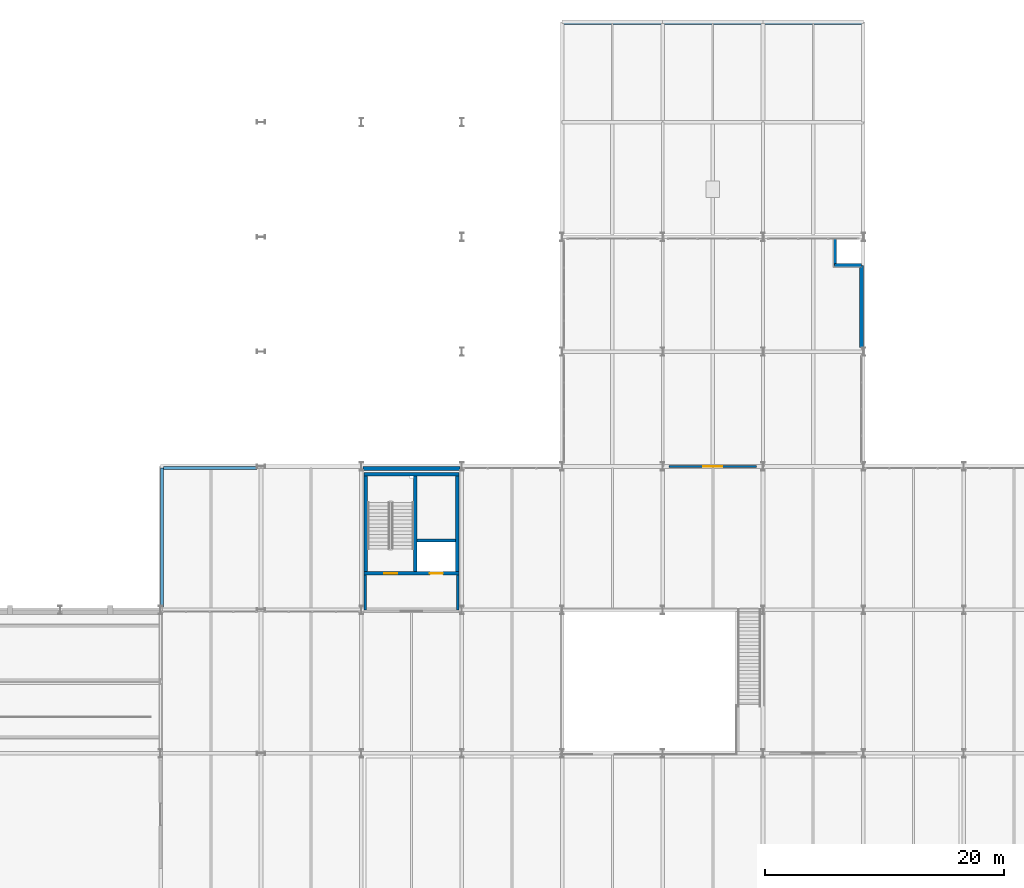
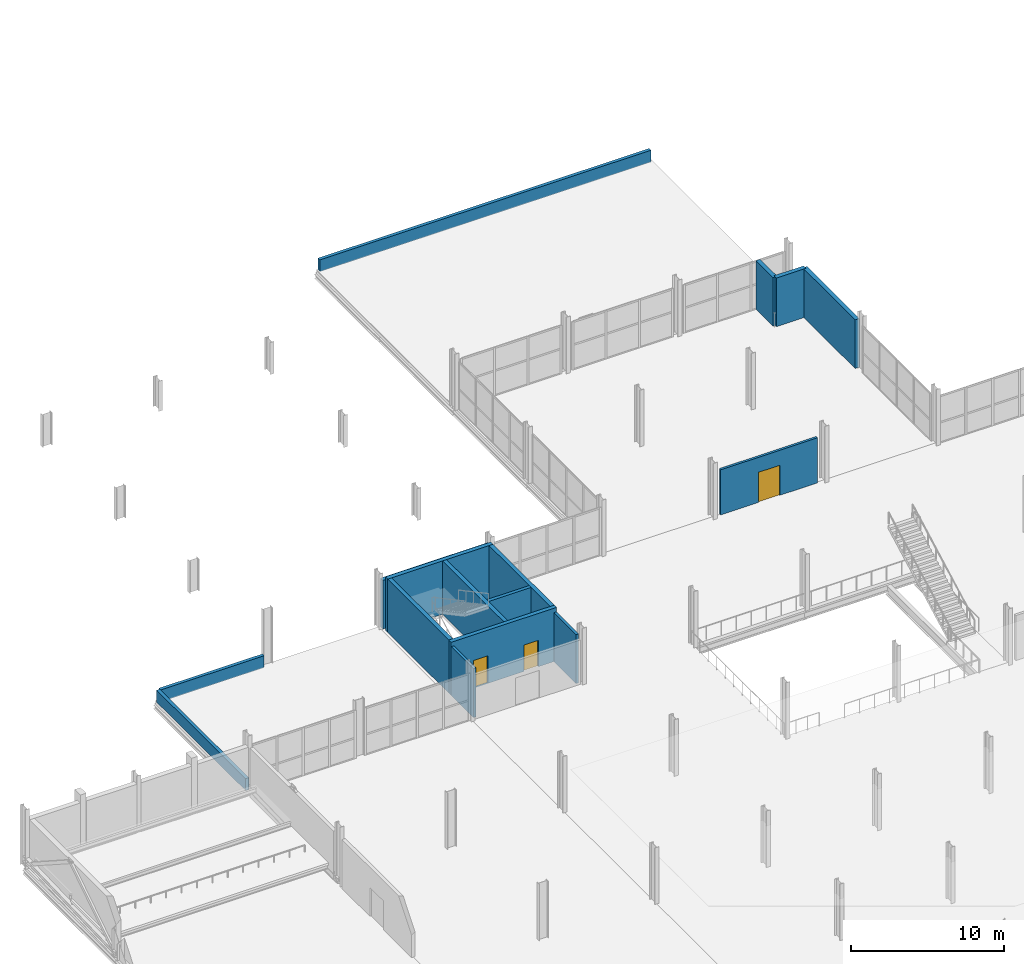
# One storey, part 102 of 113: 16 walls, 3 doors, 3 openings.
"""IFC4 building model written with IfcOpenShell, lengths in metres."""

from ifc_helpers import new_model, si_unit, direction, frame, frame_2d, origin, place, context, subcontext, project, spatial, rectangle, extrude, material, layer, layer_set, type_object, element, fill, save


model = new_model("IFC4")

# Units and contexts
model_context = context("Model", 3, precision=1e-05, world=origin(), true_north=direction((0.0, 1.0)))
body_context = subcontext(model_context, "Body", "Model", "MODEL_VIEW")
ifc_project = project(units=[si_unit("LENGTHUNIT", "METRE"), si_unit("AREAUNIT", "SQUARE_METRE"), si_unit("VOLUMEUNIT", "CUBIC_METRE"), si_unit("PLANEANGLEUNIT", "RADIAN"), si_unit("MASSUNIT", "GRAM", prefix="KILO")], contexts=[model_context])

# Site, building, storey
site_placement = place(None, origin())
site = spatial("IfcSite", under=ifc_project, at=site_placement, CompositionType="ELEMENT")
building_placement = place(site_placement, origin())
building = spatial("IfcBuilding", under=site, at=building_placement, Name="Veltarok Museum of Natural Sciences", CompositionType="ELEMENT")
storey_placement = place(building_placement, frame((0.0, 0.0, 8.39990234375)))
storey = spatial("IfcBuildingStorey", under=building, at=storey_placement, Name="L01", CompositionType="ELEMENT", Elevation=8.39990234375)

# Wall, opening, door
ifc_material_1 = material(Name="Acoustic gypsum and mineral wool")
ifc_layer_1 = layer(ifc_material_1, 0.179931640625)
ifc_layer_set_1 = layer_set([ifc_layer_1], Name="Acoustic gypsum and mineral wool")
wall_type_1 = type_object("IfcWallType", Name="Exhibition Gallery Partition 180", PredefinedType="PARTITIONING", material=ifc_layer_set_1)
wall_1_placement = place(storey_placement, frame((65.75, 72.0, 0.0), z_axis=(0.0, 0.0, 1.0), x_axis=(1.0, 0.0, 0.0)))
wall_1 = element("IfcWall", 1, at=wall_1_placement, inside=storey, type_object=wall_type_1, Name="Interior Partition L01-032", PredefinedType="PARTITIONING", context=body_context, shape_type="SweptSolid", body=[
    extrude(rectangle(XDim=7.300048828125, YDim=0.179931640625, at=frame_2d((3.64990234375, 0.0))), origin(), (0.0, 0.0, 1.0), 3.592041015625),
])
opening_1_placement = place(wall_1_placement, frame((2.85009765625, 0.0, 0.0)))
opening_1 = element("IfcOpeningElement", 2, at=opening_1_placement, cuts=wall_1, Name="Opening D-L01-158", PredefinedType="OPENING", context=body_context, shape_type="SweptSolid", body=[
    extrude(rectangle(XDim=1.60009765625, YDim=2.39990234375, at=frame_2d((0.800048828125, 1.199951171875))), frame((0.0, 0.10009765625, 0.0), z_axis=(0.0, -1.0, 0.0), x_axis=(1.0, 0.0, 0.0)), (0.0, 0.0, 1.0), 0.199951171875),
])
ifc_material_2 = material(Name="Solid European oak and safety glass", Category="glass")
door_type_1 = type_object("IfcDoorType", Name="Gallery Double Swing Door 1600x2400", OperationType="NOTDEFINED", PredefinedType="DOOR", material=ifc_material_2)
door_1_placement = place(opening_1_placement, origin())
door_1 = element("IfcDoor", 3, at=door_1_placement, inside=storey, type_object=door_type_1, Name="Interior Door D-L01-158", OperationType="DOUBLE_DOOR_SINGLE_SWING", OverallHeight=2.39990234375, OverallWidth=1.60009765625, PredefinedType="DOOR", context=body_context, shape_type="SweptSolid", body=[
    extrude(rectangle(XDim=1.60009765625, YDim=2.39990234375, at=frame_2d((0.800048828125, 1.199951171875))), frame((0.0, 0.02490234375, 0.0), z_axis=(0.0, -1.0, 0.0), x_axis=(1.0, 0.0, 0.0)), (0.0, 0.0, 1.0), 0.050048828125),
])
fill(opening_1, door_1)

# Walls
ifc_material_3 = material(Name="Concrete C35/45", Category="concrete")
ifc_layer_2 = layer(ifc_material_3, 0.199951171875)
ifc_layer_set_2 = layer_set([ifc_layer_2], Name="Concrete C35/45")
wall_type_2 = type_object("IfcWallType", Name="Firefighting Lobby Compartment Wall 200", PredefinedType="SOLIDWALL", material=ifc_layer_set_2)
for number, where, z_axis, x_axis, name in (
    (4, (40.330078125, 60.0, 0.0), (0.0, 0.0, 1.0), (0.0, 1.0, 0.0), "Firefighting Lobby Wall C3 L01 W"),
    (5, (48.070068359375, 62.89990234375, 0.0), (0.0, 0.0, 1.0), (0.0, -1.0, 0.0), "Firefighting Lobby Wall C3 L01 E"),
):
    element("IfcWall", number, at=place(storey_placement, frame(where, z_axis=z_axis, x_axis=x_axis)), inside=storey, type_object=wall_type_2, Name=name, PredefinedType="SOLIDWALL", context=body_context, shape_type="SweptSolid", body=[
        extrude(rectangle(XDim=2.89990234375, YDim=0.199951171875, at=frame_2d((1.449951171875, 0.0))), origin(), (0.0, 0.0, 1.0), 3.902099609375),
    ])
ifc_material_4 = material(Name="Precast concrete C40/50", Category="concrete")
ifc_layer_3 = layer(ifc_material_4, 0.239990234375)
ifc_layer_set_3 = layer_set([ifc_layer_3], Name="Precast concrete C40/50")
wall_type_3 = type_object("IfcWallType", Name="Flat Roof Concrete Parapet Wall 240", PredefinedType="PARAPET", material=ifc_layer_set_3)
wall_2_placement = place(storey_placement, frame((23.320068359375, 60.239990234375, 0.0), z_axis=(0.0, 0.0, 1.0), x_axis=(0.0, 1.0, 0.0)))
element("IfcWall", 6, at=wall_2_placement, inside=storey, type_object=wall_type_3, Name="Roof Parapet Wall L01-03", PredefinedType="PARAPET", context=body_context, shape_type="SweptSolid", body=[
    extrude(rectangle(XDim=11.639892578125, YDim=0.239990234375, at=frame_2d((5.81982421875, 0.0))), origin(), (0.0, 0.0, 1.0), 0.9501953125),
])
wall_3_placement = place(storey_placement, frame((23.43994140625, 71.8798828125, 0.0), z_axis=(0.0, 0.0, 1.0), x_axis=(1.0, 0.0, 0.0)))
element("IfcWall", 7, at=wall_3_placement, inside=storey, type_object=wall_type_3, Name="Roof Parapet Wall L01-04", PredefinedType="PARAPET", context=body_context, shape_type="SweptSolid", body=[
    extrude(rectangle(XDim=7.81005859375, YDim=0.239990234375, at=frame_2d((3.905029296875, 0.0))), origin(), (0.0, 0.0, 1.0), 0.9501953125),
])
wall_4_placement = place(storey_placement, frame((56.919921875, 109.080078125, 0.0), z_axis=(0.0, 0.0, 1.0), x_axis=(1.0, 0.0, 0.0)))
element("IfcWall", 8, at=wall_4_placement, inside=storey, type_object=wall_type_3, Name="Roof Parapet Wall L01-05", PredefinedType="PARAPET", context=body_context, shape_type="SweptSolid", body=[
    extrude(rectangle(XDim=24.9599609375, YDim=0.239990234375, at=frame_2d((12.47998046875, 0.0))), origin(), (0.0, 0.0, 1.0), 0.9501953125),
])
ifc_layer_4 = layer(ifc_material_4, 0.320068359375)
ifc_layer_set_4 = layer_set([ifc_layer_4], Name="Precast concrete C40/50")
wall_type_4 = type_object("IfcWallType", Name="Insulated Precast Facade Wall 320", PredefinedType="SOLIDWALL", material=ifc_layer_set_4)
wall_5_placement = place(storey_placement, frame((48.25, 71.840087890625, 0.0), z_axis=(0.0, 0.0, 1.0), x_axis=(-1.0, 0.0, 0.0)))
element("IfcWall", 9, at=wall_5_placement, inside=storey, type_object=wall_type_4, Name="Core C3 North Exterior Facade Wall L01", PredefinedType="SOLIDWALL", context=body_context, shape_type="SweptSolid", body=[
    extrude(rectangle(XDim=8.10009765625, YDim=0.320068359375, at=frame_2d((4.050048828125, 0.0))), origin(), (0.0, 0.0, 1.0), 3.880126953125),
])
wall_6_placement = place(storey_placement, frame((81.840087890625, 81.949951171875, 0.0), z_axis=(0.0, 0.0, 1.0), x_axis=(0.0, 1.0, 0.0)))
element("IfcWall", 10, at=wall_6_placement, inside=storey, type_object=wall_type_4, Name="Karst Gallery East Wall L01 J-K", PredefinedType="SOLIDWALL", context=body_context, shape_type="SweptSolid", body=[
    extrude(rectangle(XDim=6.85009765625, YDim=0.320068359375, at=frame_2d((3.425048828125, 0.0))), origin(), (0.0, 0.0, 1.0), 3.880126953125),
])
for number, where, z_axis, x_axis, name in (
    (11, (81.840087890625, 88.800048828125, 0.0), (0.0, 0.0, 1.0), (-1.0, 0.0, 0.0), "Karst Gallery Chamfer South Wall L01"),
    (12, (79.60009765625, 88.800048828125, 0.0), (0.0, 0.0, 1.0), (0.0, 1.0, 0.0), "Karst Gallery Chamfer West Wall L01"),
):
    element("IfcWall", number, at=place(storey_placement, frame(where, z_axis=z_axis, x_axis=x_axis)), inside=storey, type_object=wall_type_4, Name=name, PredefinedType="SOLIDWALL", context=body_context, shape_type="SweptSolid", body=[
        extrude(rectangle(XDim=2.239990234375, YDim=0.320068359375, at=frame_2d((1.1201171875, 0.0))), origin(), (0.0, 0.0, 1.0), 3.880126953125),
    ])
ifc_material_5 = material(Name="Concrete C40/50", Category="concrete")
ifc_layer_5 = layer(ifc_material_5, 0.25)
ifc_layer_set_5 = layer_set([ifc_layer_5], Name="Concrete C40/50")
wall_type_5 = type_object("IfcWallType", Name="Lift Shaft Concrete Shear Wall 250", PredefinedType="SHEAR", material=ifc_layer_set_5)
wall_7_placement = place(storey_placement, frame((44.669921875, 65.824951171875, 0.0), z_axis=(0.0, 0.0, 1.0), x_axis=(1.0, 0.0, 0.0)))
element("IfcWall", 13, at=wall_7_placement, inside=storey, type_object=wall_type_5, Name="Lift Shaft Back Wall C3 L01", PredefinedType="SHEAR", context=body_context, shape_type="SweptSolid", body=[
    extrude(rectangle(XDim=3.2001953125, YDim=0.25, at=frame_2d((1.60009765625, 0.0))), origin(), (0.0, 0.0, 1.0), 4.25),
])

# Wall, openings, doors
ifc_layer_6 = layer(ifc_material_5, 0.300048828125)
ifc_layer_set_6 = layer_set([ifc_layer_6], Name="Concrete C40/50")
wall_type_6 = type_object("IfcWallType", Name="Protected Core Shear Wall 300", PredefinedType="SHEAR", material=ifc_layer_set_6)
wall_8_placement = place(storey_placement, frame((40.22998046875, 63.050048828125, 0.0), z_axis=(0.0, 0.0, 1.0), x_axis=(1.0, 0.0, 0.0)))
wall_8 = element("IfcWall", 14, at=wall_8_placement, inside=storey, type_object=wall_type_6, Name="Core Shear Wall C3 L01 S", PredefinedType="SHEAR", context=body_context, shape_type="SweptSolid", body=[
    extrude(rectangle(XDim=7.93994140625, YDim=0.300048828125, at=frame_2d((3.969970703125, 0.0))), origin(), (0.0, 0.0, 1.0), 4.25),
])
opening_2_placement = place(wall_8_placement, frame((1.669921875, 0.0, 0.0)))
opening_2 = element("IfcOpeningElement", 15, at=opening_2_placement, cuts=wall_8, Name="Opening D-L01-028", PredefinedType="OPENING", context=body_context, shape_type="SweptSolid", body=[
    extrude(rectangle(XDim=1.10009765625, YDim=2.199951171875, at=frame_2d((0.550048828125, 1.10009765625))), frame((0.0, 0.16015625, 0.0), z_axis=(0.0, -1.0, 0.0), x_axis=(1.0, 0.0, 0.0)), (0.0, 0.0, 1.0), 0.320068359375),
])
opening_3_placement = place(wall_8_placement, frame((5.489990234375, 0.0, 0.0)))
opening_3 = element("IfcOpeningElement", 16, at=opening_3_placement, cuts=wall_8, Name="Opening LD-L01-LP-03", PredefinedType="OPENING", context=body_context, shape_type="SweptSolid", body=[
    extrude(rectangle(XDim=1.10009765625, YDim=2.10009765625, at=frame_2d((0.550048828125, 1.050048828125))), frame((0.0, 0.16015625, 0.0), z_axis=(0.0, -1.0, 0.0), x_axis=(1.0, 0.0, 0.0)), (0.0, 0.0, 1.0), 0.320068359375),
])
ifc_material_6 = material(Name="Fire-rated painted steel", Category="steel")
door_type_2 = type_object("IfcDoorType", Name="Fire Core Single Escape Door 1100x2200", OperationType="NOTDEFINED", PredefinedType="DOOR", material=ifc_material_6)
door_2_placement = place(opening_2_placement, origin())
door_2 = element("IfcDoor", 17, at=door_2_placement, inside=storey, type_object=door_type_2, Name="Protected Stair Door ST-03 L01", OperationType="SINGLE_SWING_RIGHT", OverallHeight=2.199951171875, OverallWidth=1.10009765625, PredefinedType="DOOR", context=body_context, shape_type="SweptSolid", body=[
    extrude(rectangle(XDim=1.10009765625, YDim=2.199951171875, at=frame_2d((0.550048828125, 1.10009765625))), frame((0.0, 0.02490234375, 0.0), z_axis=(0.0, -1.0, 0.0), x_axis=(1.0, 0.0, 0.0)), (0.0, 0.0, 1.0), 0.050048828125),
])
fill(opening_2, door_2)
ifc_material_7 = material(Name="Brushed stainless steel", Category="steel")
door_type_3 = type_object("IfcDoorType", Name="Passenger and Firefighting Lift Landing Door 1100x2100", OperationType="SLIDING_TO_LEFT", PredefinedType="DOOR", material=ifc_material_7)
door_3_placement = place(opening_3_placement, origin())
door_3 = element("IfcDoor", 18, at=door_3_placement, inside=storey, type_object=door_type_3, Name="Sliding Lift Landing Door LD-L01-LP-03", OperationType="SLIDING_TO_LEFT", OverallHeight=2.10009765625, OverallWidth=1.10009765625, PredefinedType="DOOR", context=body_context, shape_type="SweptSolid", body=[
    extrude(rectangle(XDim=1.10009765625, YDim=2.10009765625, at=frame_2d((0.550048828125, 1.050048828125))), frame((0.0, 0.02490234375, 0.0), z_axis=(0.0, -1.0, 0.0), x_axis=(1.0, 0.0, 0.0)), (0.0, 0.0, 1.0), 0.050048828125),
])
fill(opening_3, door_3)

# Walls
wall_9_placement = place(storey_placement, frame((48.169921875, 71.35009765625, 0.0), z_axis=(0.0, 0.0, 1.0), x_axis=(-1.0, 0.0, 0.0)))
element("IfcWall", 19, at=wall_9_placement, inside=storey, type_object=wall_type_6, Name="Core Shear Wall C3 L01 N", PredefinedType="SHEAR", context=body_context, shape_type="SweptSolid", body=[
    extrude(rectangle(XDim=7.93994140625, YDim=0.300048828125, at=frame_2d((3.969970703125, 0.0))), origin(), (0.0, 0.0, 1.0), 4.25),
])
for number, where, z_axis, x_axis, name in (
    (20, (40.3798828125, 71.199951171875, 0.0), (0.0, 0.0, 1.0), (0.0, -1.0, 0.0), "Core Shear Wall C3 L01 W"),
    (21, (48.02001953125, 63.199951171875, 0.0), (0.0, 0.0, 1.0), (0.0, 1.0, 0.0), "Core Shear Wall C3 L01 E"),
    (22, (44.52001953125, 63.199951171875, 0.0), (0.0, 0.0, 1.0), (0.0, 1.0, 0.0), "Core Shear Wall C3 L01 DIV"),
):
    element("IfcWall", number, at=place(storey_placement, frame(where, z_axis=z_axis, x_axis=x_axis)), inside=storey, type_object=wall_type_6, Name=name, PredefinedType="SHEAR", context=body_context, shape_type="SweptSolid", body=[
        extrude(rectangle(XDim=8.0, YDim=0.300048828125, at=frame_2d((4.0, 0.0))), origin(), (0.0, 0.0, 1.0), 4.25),
    ])

save(model, "model.ifc")
